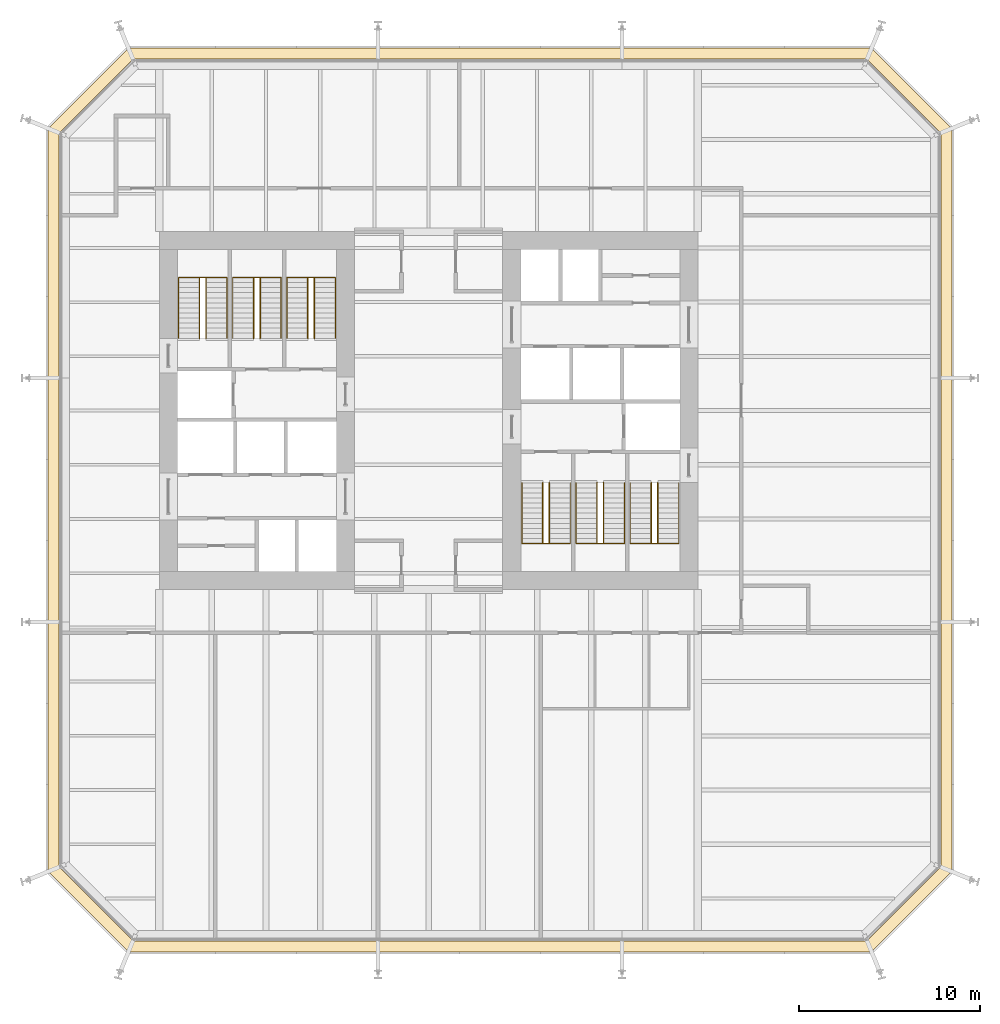
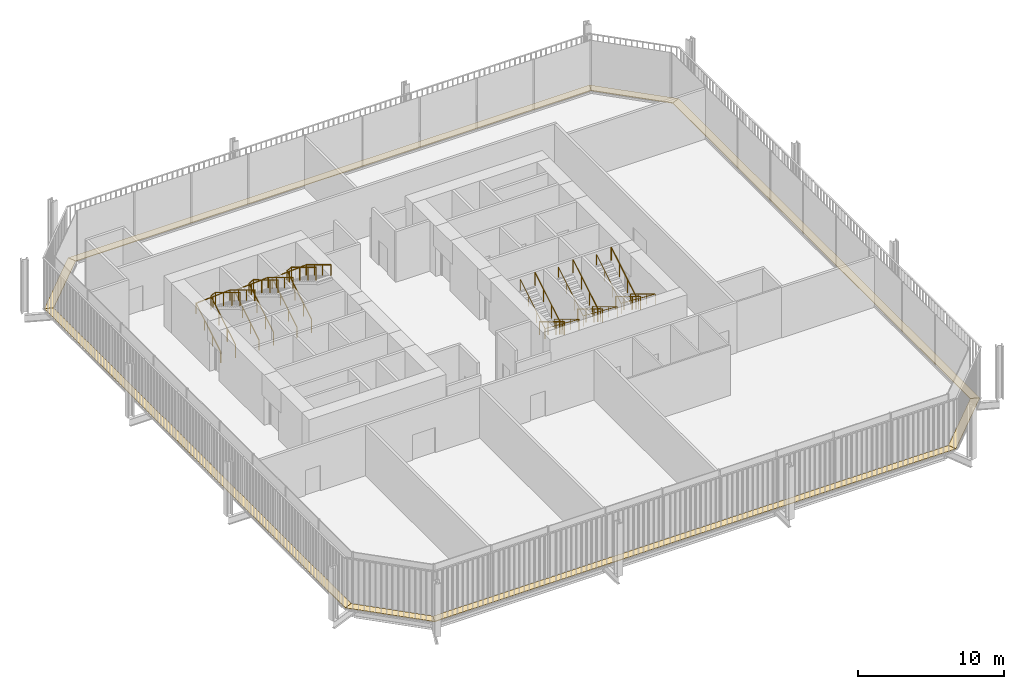
# One storey, part 20 of 20: 12 railings, 8 coverings.
"""IFC4 building model written with IfcOpenShell, lengths in metres."""

from ifc_helpers import new_model, si_unit, direction, frame, origin, origin_2d, place, context, subcontext, project, spatial, polyline, circle, outline, extrude, material, layer, layer_set, type_object, element, save


model = new_model("IFC4")

# Units and contexts
model_context = context("Model", 3, precision=1e-05, world=origin(), true_north=direction((0.0, 1.0)))
body_context = subcontext(model_context, "Body", "Model", "MODEL_VIEW")
ifc_project = project(units=[si_unit("LENGTHUNIT", "METRE"), si_unit("AREAUNIT", "SQUARE_METRE"), si_unit("VOLUMEUNIT", "CUBIC_METRE"), si_unit("PLANEANGLEUNIT", "RADIAN"), si_unit("MASSUNIT", "GRAM", prefix="KILO")], contexts=[model_context])

# Site, building, storey
site_placement = place(None, origin())
site = spatial("IfcSite", under=ifc_project, at=site_placement, CompositionType="ELEMENT")
building_placement = place(site_placement, origin())
building = spatial("IfcBuilding", under=site, at=building_placement, Name="Millrace Tower", CompositionType="ELEMENT")
storey_placement = place(building_placement, frame((0.0, 0.0, 99.60009765625)))
storey = spatial("IfcBuildingStorey", under=building, at=storey_placement, Name="L22", CompositionType="ELEMENT", Elevation=99.60009765625)

# Coverings
ifc_material_1 = material(Name="Steel ASTM A36", Category="steel")
ifc_layer = layer(ifc_material_1, 0.050048828125)
ifc_layer_set = layer_set([ifc_layer], Name="Steel ASTM A36")
covering_type = type_object("IfcCoveringType", Name="CAVITY CATWALK steel grating", PredefinedType="FLOORING", material=ifc_layer_set)
placement = place(storey_placement, frame((0.0, 0.0, 0.099853515625)))
element("IfcCovering", 1, at=placement, inside=storey, type_object=covering_type, Name="Cavity catwalk grating B-F01 L22 1", PredefinedType="FLOORING", context=body_context, shape_type="SweptSolid", body=[
    extrude(outline(polyline([(-21.050048828125, -25.5107421875), (-16.610595703125, -29.949951171875), (-16.362060546875, -29.35009765625), (-20.449951171875, -25.26220703125), (-21.050048828125, -25.5107421875)])), origin(), (0.0, 0.0, 1.0), 0.050048828125),
])
element("IfcCovering", 2, at=placement, inside=storey, type_object=covering_type, Name="Cavity catwalk grating B-F02 L22 1", PredefinedType="FLOORING", context=body_context, shape_type="SweptSolid", body=[
    extrude(outline(polyline([(-16.610595703125, -29.949951171875), (24.5107421875, -29.949951171875), (24.26220703125, -29.35009765625), (-16.362060546875, -29.35009765625), (-16.610595703125, -29.949951171875)])), origin(), (0.0, 0.0, 1.0), 0.050048828125),
])
element("IfcCovering", 3, at=placement, inside=storey, type_object=covering_type, Name="Cavity catwalk grating B-F03 L22 1", PredefinedType="FLOORING", context=body_context, shape_type="SweptSolid", body=[
    extrude(outline(polyline([(24.5107421875, -29.949951171875), (28.949951171875, -25.5107421875), (28.35009765625, -25.26220703125), (24.26220703125, -29.35009765625), (24.5107421875, -29.949951171875)])), origin(), (0.0, 0.0, 1.0), 0.050048828125),
])
element("IfcCovering", 4, at=placement, inside=storey, type_object=covering_type, Name="Cavity catwalk grating B-F04 L22 1", PredefinedType="FLOORING", context=body_context, shape_type="SweptSolid", body=[
    extrude(outline(polyline([(28.949951171875, -25.5107421875), (28.949951171875, 15.610595703125), (28.35009765625, 15.362060546875), (28.35009765625, -25.26220703125), (28.949951171875, -25.5107421875)])), origin(), (0.0, 0.0, 1.0), 0.050048828125),
])
element("IfcCovering", 5, at=placement, inside=storey, type_object=covering_type, Name="Cavity catwalk grating B-F05 L22 1", PredefinedType="FLOORING", context=body_context, shape_type="SweptSolid", body=[
    extrude(outline(polyline([(28.949951171875, 15.610595703125), (24.5107421875, 20.050048828125), (24.26220703125, 19.449951171875), (28.35009765625, 15.362060546875), (28.949951171875, 15.610595703125)])), origin(), (0.0, 0.0, 1.0), 0.050048828125),
])
element("IfcCovering", 6, at=placement, inside=storey, type_object=covering_type, Name="Cavity catwalk grating B-F06 L22 1", PredefinedType="FLOORING", context=body_context, shape_type="SweptSolid", body=[
    extrude(outline(polyline([(24.5107421875, 20.050048828125), (-16.610595703125, 20.050048828125), (-16.362060546875, 19.449951171875), (24.26220703125, 19.449951171875), (24.5107421875, 20.050048828125)])), origin(), (0.0, 0.0, 1.0), 0.050048828125),
])
element("IfcCovering", 7, at=placement, inside=storey, type_object=covering_type, Name="Cavity catwalk grating B-F07 L22 1", PredefinedType="FLOORING", context=body_context, shape_type="SweptSolid", body=[
    extrude(outline(polyline([(-16.610595703125, 20.050048828125), (-21.050048828125, 15.610595703125), (-20.449951171875, 15.362060546875), (-16.362060546875, 19.449951171875), (-16.610595703125, 20.050048828125)])), origin(), (0.0, 0.0, 1.0), 0.050048828125),
])
element("IfcCovering", 8, at=placement, inside=storey, type_object=covering_type, Name="Cavity catwalk grating B-F08 L22 1", PredefinedType="FLOORING", context=body_context, shape_type="SweptSolid", body=[
    extrude(outline(polyline([(-21.050048828125, 15.610595703125), (-21.050048828125, -25.5107421875), (-20.449951171875, -25.26220703125), (-20.449951171875, 15.362060546875), (-21.050048828125, 15.610595703125)])), origin(), (0.0, 0.0, 1.0), 0.050048828125),
])

# Railings
ifc_material_2 = material(Name="Stainless steel ASTM A240 type 316", Category="steel")
railing_type_1 = type_object("IfcRailingType", Name="Stair guard 1100", PredefinedType="GUARDRAIL", material=ifc_material_2)
for number, where, name in (
    (9, (-12.679931640625, 4.0, 0.169189453125), "Stair guard 1 W L22"),
    (10, (-9.679931640625, 4.0, 0.169189453125), "Stair guard 2 W L22"),
    (11, (-6.679931640625, 4.0, 0.169189453125), "Stair guard 3 W L22"),
):
    element("IfcRailing", number, at=place(storey_placement, frame(where)), inside=storey, type_object=railing_type_1, Name=name, PredefinedType="GUARDRAIL", context=body_context, shape_type="SweptSolid", body=[
        extrude(circle(Radius=0.02392578125, at=origin_2d()), frame((0.0, 0.0, 1.076171875), z_axis=(0.0, 0.855836976705, 0.517245656632), x_axis=(-1.0, 0.0, 0.0)), (0.0, 0.0, 1.0), 3.926025390625),
        extrude(circle(Radius=0.02392578125, at=origin_2d()), frame((0.0, 3.360107421875, 3.10693359375), z_axis=(0.904971698027, 0.0, 0.425471768475), x_axis=(0.0, 1.0, 0.0)), (0.0, 0.0, 1.0), 0.397705078125),
        extrude(circle(Radius=0.02392578125, at=origin_2d()), frame((0.35986328125, 3.360107421875, 3.27587890625), z_axis=(0.0, -0.855836976705, 0.517245656632), x_axis=(1.0, 0.0, 0.0)), (0.0, 0.0, 1.0), 3.926025390625),
        extrude(circle(Radius=0.02099609375, at=origin_2d()), origin(), (0.0, 0.0, 1.0), 1.052001953125),
        extrude(circle(Radius=0.02099609375, at=origin_2d()), frame((0.0, 1.1201171875, 0.677001953125)), (0.0, 0.0, 1.0), 1.052001953125),
        extrude(circle(Radius=0.02099609375, at=origin_2d()), frame((0.0, 2.239990234375, 1.353759765625)), (0.0, 0.0, 1.0), 1.052001953125),
        extrude(circle(Radius=0.02099609375, at=origin_2d()), frame((0.0, 3.360107421875, 2.03076171875)), (0.0, 0.0, 1.0), 1.052001953125),
        extrude(circle(Radius=0.02099609375, at=origin_2d()), frame((0.35986328125, 3.360107421875, 2.199951171875)), (0.0, 0.0, 1.0), 1.052001953125),
        extrude(circle(Radius=0.02099609375, at=origin_2d()), frame((0.35986328125, 2.239990234375, 2.876953125)), (0.0, 0.0, 1.0), 1.052001953125),
        extrude(circle(Radius=0.02099609375, at=origin_2d()), frame((0.35986328125, 1.1201171875, 3.5537109375)), (0.0, 0.0, 1.0), 1.052001953125),
        extrude(circle(Radius=0.02099609375, at=origin_2d()), frame((0.35986328125, 0.0, 4.230712890625)), (0.0, 0.0, 1.0), 1.052001953125),
    ])
for number, where, name in (
    (12, (12.679931640625, -4.0, 0.169189453125), "Stair guard 1 E L22"),
    (13, (9.679931640625, -4.0, 0.169189453125), "Stair guard 2 E L22"),
    (14, (6.679931640625, -4.0, 0.169189453125), "Stair guard 3 E L22"),
):
    element("IfcRailing", number, at=place(storey_placement, frame(where)), inside=storey, type_object=railing_type_1, Name=name, PredefinedType="GUARDRAIL", context=body_context, shape_type="SweptSolid", body=[
        extrude(circle(Radius=0.02392578125, at=origin_2d()), frame((0.0, 0.0, 1.076171875), z_axis=(0.0, -0.855836976705, 0.517245656632), x_axis=(1.0, 0.0, 0.0)), (0.0, 0.0, 1.0), 3.926025390625),
        extrude(circle(Radius=0.02392578125, at=origin_2d()), frame((0.0, -3.360107421875, 3.10693359375), z_axis=(-0.904971698027, 0.0, 0.425471768475), x_axis=(0.0, -1.0, 0.0)), (0.0, 0.0, 1.0), 0.397705078125),
        extrude(circle(Radius=0.02392578125, at=origin_2d()), frame((-0.35986328125, -3.360107421875, 3.27587890625), z_axis=(0.0, 0.855836976705, 0.517245656632), x_axis=(-1.0, 0.0, 0.0)), (0.0, 0.0, 1.0), 3.926025390625),
        extrude(circle(Radius=0.02099609375, at=origin_2d()), origin(), (0.0, 0.0, 1.0), 1.052001953125),
        extrude(circle(Radius=0.02099609375, at=origin_2d()), frame((0.0, -1.1201171875, 0.677001953125)), (0.0, 0.0, 1.0), 1.052001953125),
        extrude(circle(Radius=0.02099609375, at=origin_2d()), frame((0.0, -2.239990234375, 1.353759765625)), (0.0, 0.0, 1.0), 1.052001953125),
        extrude(circle(Radius=0.02099609375, at=origin_2d()), frame((0.0, -3.360107421875, 2.03076171875)), (0.0, 0.0, 1.0), 1.052001953125),
        extrude(circle(Radius=0.02099609375, at=origin_2d()), frame((-0.35986328125, -3.360107421875, 2.199951171875)), (0.0, 0.0, 1.0), 1.052001953125),
        extrude(circle(Radius=0.02099609375, at=origin_2d()), frame((-0.35986328125, -2.239990234375, 2.876953125)), (0.0, 0.0, 1.0), 1.052001953125),
        extrude(circle(Radius=0.02099609375, at=origin_2d()), frame((-0.35986328125, -1.1201171875, 3.5537109375)), (0.0, 0.0, 1.0), 1.052001953125),
        extrude(circle(Radius=0.02099609375, at=origin_2d()), frame((-0.35986328125, 0.0, 4.230712890625)), (0.0, 0.0, 1.0), 1.052001953125),
    ])
ifc_material_3 = material(Name="Stainless steel ASTM A240 type 316", Category="steel")
railing_type_2 = type_object("IfcRailingType", Name="Stair handrail 900", PredefinedType="HANDRAIL", material=ifc_material_3)
railing_1_placement = place(storey_placement, frame((-13.840087890625, 4.0, 0.169189453125)))
element("IfcRailing", 15, at=railing_1_placement, inside=storey, type_object=railing_type_2, Name="Stair handrail 1 W L22", PredefinedType="HANDRAIL", context=body_context, shape_type="SweptSolid", body=[
    extrude(circle(Radius=0.02392578125, at=origin_2d()), frame((0.0, 0.0, 0.8759765625), z_axis=(0.0, 0.855836976705, 0.517245656632), x_axis=(-1.0, 0.0, 0.0)), (0.0, 0.0, 1.0), 3.926025390625),
    extrude(circle(Radius=0.02392578125, at=origin_2d()), frame((0.0, 3.360107421875, 2.90673828125), z_axis=(0.998013473273, 0.0, 0.063000850517), x_axis=(0.0, 1.0, 0.0)), (0.0, 0.0, 1.0), 2.685546875),
    extrude(circle(Radius=0.02392578125, at=origin_2d()), frame((2.68017578125, 3.360107421875, 3.07568359375), z_axis=(0.0, -0.855836976705, 0.517245656632), x_axis=(1.0, 0.0, 0.0)), (0.0, 0.0, 1.0), 3.926025390625),
    extrude(circle(Radius=0.02099609375, at=origin_2d()), origin(), (0.0, 0.0, 1.0), 0.851806640625),
    extrude(circle(Radius=0.02099609375, at=origin_2d()), frame((0.0, 1.1201171875, 0.677001953125)), (0.0, 0.0, 1.0), 0.851806640625),
    extrude(circle(Radius=0.02099609375, at=origin_2d()), frame((0.0, 2.239990234375, 1.353759765625)), (0.0, 0.0, 1.0), 0.851806640625),
    extrude(circle(Radius=0.02099609375, at=origin_2d()), frame((0.0, 3.360107421875, 2.03076171875)), (0.0, 0.0, 1.0), 0.851806640625),
    extrude(circle(Radius=0.02099609375, at=origin_2d()), frame((1.340087890625, 3.360107421875, 2.115234375)), (0.0, 0.0, 1.0), 0.851806640625),
    extrude(circle(Radius=0.02099609375, at=origin_2d()), frame((2.68017578125, 3.360107421875, 2.199951171875)), (0.0, 0.0, 1.0), 0.851806640625),
    extrude(circle(Radius=0.02099609375, at=origin_2d()), frame((2.68017578125, 2.239990234375, 2.876953125)), (0.0, 0.0, 1.0), 0.851806640625),
    extrude(circle(Radius=0.02099609375, at=origin_2d()), frame((2.68017578125, 1.1201171875, 3.5537109375)), (0.0, 0.0, 1.0), 0.851806640625),
    extrude(circle(Radius=0.02099609375, at=origin_2d()), frame((2.68017578125, 0.0, 4.230712890625)), (0.0, 0.0, 1.0), 0.851806640625),
])
railing_2_placement = place(storey_placement, frame((-10.840087890625, 4.0, 0.169189453125)))
element("IfcRailing", 16, at=railing_2_placement, inside=storey, type_object=railing_type_2, Name="Stair handrail 2 W L22", PredefinedType="HANDRAIL", context=body_context, shape_type="SweptSolid", body=[
    extrude(circle(Radius=0.02392578125, at=origin_2d()), frame((0.0, 0.0, 0.8759765625), z_axis=(0.0, 0.855836976705, 0.517245656632), x_axis=(-1.0, 0.0, 0.0)), (0.0, 0.0, 1.0), 3.926025390625),
    extrude(circle(Radius=0.02392578125, at=origin_2d()), frame((0.0, 3.360107421875, 2.90673828125), z_axis=(0.998013473273, 0.0, 0.063000850517), x_axis=(0.0, 1.0, 0.0)), (0.0, 0.0, 1.0), 2.685546875),
    extrude(circle(Radius=0.02392578125, at=origin_2d()), frame((2.68017578125, 3.360107421875, 3.07568359375), z_axis=(0.0, -0.855836976705, 0.517245656632), x_axis=(1.0, 0.0, 0.0)), (0.0, 0.0, 1.0), 3.926025390625),
    extrude(circle(Radius=0.02099609375, at=origin_2d()), origin(), (0.0, 0.0, 1.0), 0.851806640625),
    extrude(circle(Radius=0.02099609375, at=origin_2d()), frame((0.0, 1.1201171875, 0.677001953125)), (0.0, 0.0, 1.0), 0.851806640625),
    extrude(circle(Radius=0.02099609375, at=origin_2d()), frame((0.0, 2.239990234375, 1.353759765625)), (0.0, 0.0, 1.0), 0.851806640625),
    extrude(circle(Radius=0.02099609375, at=origin_2d()), frame((0.0, 3.360107421875, 2.03076171875)), (0.0, 0.0, 1.0), 0.851806640625),
    extrude(circle(Radius=0.02099609375, at=origin_2d()), frame((1.340087890625, 3.360107421875, 2.115234375)), (0.0, 0.0, 1.0), 0.851806640625),
    extrude(circle(Radius=0.02099609375, at=origin_2d()), frame((2.68017578125, 3.360107421875, 2.199951171875)), (0.0, 0.0, 1.0), 0.851806640625),
    extrude(circle(Radius=0.02099609375, at=origin_2d()), frame((2.68017578125, 2.239990234375, 2.876953125)), (0.0, 0.0, 1.0), 0.851806640625),
    extrude(circle(Radius=0.02099609375, at=origin_2d()), frame((2.68017578125, 1.1201171875, 3.5537109375)), (0.0, 0.0, 1.0), 0.851806640625),
    extrude(circle(Radius=0.02099609375, at=origin_2d()), frame((2.68017578125, 0.0, 4.230712890625)), (0.0, 0.0, 1.0), 0.851806640625),
])
railing_3_placement = place(storey_placement, frame((-7.840087890625, 4.0, 0.169189453125)))
element("IfcRailing", 17, at=railing_3_placement, inside=storey, type_object=railing_type_2, Name="Stair handrail 3 W L22", PredefinedType="HANDRAIL", context=body_context, shape_type="SweptSolid", body=[
    extrude(circle(Radius=0.02392578125, at=origin_2d()), frame((0.0, 0.0, 0.8759765625), z_axis=(0.0, 0.855836976705, 0.517245656632), x_axis=(-1.0, 0.0, 0.0)), (0.0, 0.0, 1.0), 3.926025390625),
    extrude(circle(Radius=0.02392578125, at=origin_2d()), frame((0.0, 3.360107421875, 2.90673828125), z_axis=(0.998013473273, 0.0, 0.063000850517), x_axis=(0.0, 1.0, 0.0)), (0.0, 0.0, 1.0), 2.685546875),
    extrude(circle(Radius=0.02392578125, at=origin_2d()), frame((2.68017578125, 3.360107421875, 3.07568359375), z_axis=(0.0, -0.855836976705, 0.517245656632), x_axis=(1.0, 0.0, 0.0)), (0.0, 0.0, 1.0), 3.926025390625),
    extrude(circle(Radius=0.02099609375, at=origin_2d()), origin(), (0.0, 0.0, 1.0), 0.851806640625),
    extrude(circle(Radius=0.02099609375, at=origin_2d()), frame((0.0, 1.1201171875, 0.677001953125)), (0.0, 0.0, 1.0), 0.851806640625),
    extrude(circle(Radius=0.02099609375, at=origin_2d()), frame((0.0, 2.239990234375, 1.353759765625)), (0.0, 0.0, 1.0), 0.851806640625),
    extrude(circle(Radius=0.02099609375, at=origin_2d()), frame((0.0, 3.360107421875, 2.03076171875)), (0.0, 0.0, 1.0), 0.851806640625),
    extrude(circle(Radius=0.02099609375, at=origin_2d()), frame((1.340087890625, 3.360107421875, 2.115234375)), (0.0, 0.0, 1.0), 0.851806640625),
    extrude(circle(Radius=0.02099609375, at=origin_2d()), frame((2.68017578125, 3.360107421875, 2.199951171875)), (0.0, 0.0, 1.0), 0.851806640625),
    extrude(circle(Radius=0.02099609375, at=origin_2d()), frame((2.68017578125, 2.239990234375, 2.876953125)), (0.0, 0.0, 1.0), 0.851806640625),
    extrude(circle(Radius=0.02099609375, at=origin_2d()), frame((2.68017578125, 1.1201171875, 3.5537109375)), (0.0, 0.0, 1.0), 0.851806640625),
    extrude(circle(Radius=0.02099609375, at=origin_2d()), frame((2.68017578125, 0.0, 4.230712890625)), (0.0, 0.0, 1.0), 0.851806640625),
])
railing_4_placement = place(storey_placement, frame((13.840087890625, -4.0, 0.169189453125)))
element("IfcRailing", 18, at=railing_4_placement, inside=storey, type_object=railing_type_2, Name="Stair handrail 1 E L22", PredefinedType="HANDRAIL", context=body_context, shape_type="SweptSolid", body=[
    extrude(circle(Radius=0.02392578125, at=origin_2d()), frame((0.0, 0.0, 0.8759765625), z_axis=(0.0, -0.855836976705, 0.517245656632), x_axis=(1.0, 0.0, 0.0)), (0.0, 0.0, 1.0), 3.926025390625),
    extrude(circle(Radius=0.02392578125, at=origin_2d()), frame((0.0, -3.360107421875, 2.90673828125), z_axis=(-0.998013473273, 0.0, 0.063000850517), x_axis=(0.0, -1.0, 0.0)), (0.0, 0.0, 1.0), 2.685546875),
    extrude(circle(Radius=0.02392578125, at=origin_2d()), frame((-2.68017578125, -3.360107421875, 3.07568359375), z_axis=(0.0, 0.855836976705, 0.517245656632), x_axis=(-1.0, 0.0, 0.0)), (0.0, 0.0, 1.0), 3.926025390625),
    extrude(circle(Radius=0.02099609375, at=origin_2d()), origin(), (0.0, 0.0, 1.0), 0.851806640625),
    extrude(circle(Radius=0.02099609375, at=origin_2d()), frame((0.0, -1.1201171875, 0.677001953125)), (0.0, 0.0, 1.0), 0.851806640625),
    extrude(circle(Radius=0.02099609375, at=origin_2d()), frame((0.0, -2.239990234375, 1.353759765625)), (0.0, 0.0, 1.0), 0.851806640625),
    extrude(circle(Radius=0.02099609375, at=origin_2d()), frame((0.0, -3.360107421875, 2.03076171875)), (0.0, 0.0, 1.0), 0.851806640625),
    extrude(circle(Radius=0.02099609375, at=origin_2d()), frame((-1.340087890625, -3.360107421875, 2.115234375)), (0.0, 0.0, 1.0), 0.851806640625),
    extrude(circle(Radius=0.02099609375, at=origin_2d()), frame((-2.68017578125, -3.360107421875, 2.199951171875)), (0.0, 0.0, 1.0), 0.851806640625),
    extrude(circle(Radius=0.02099609375, at=origin_2d()), frame((-2.68017578125, -2.239990234375, 2.876953125)), (0.0, 0.0, 1.0), 0.851806640625),
    extrude(circle(Radius=0.02099609375, at=origin_2d()), frame((-2.68017578125, -1.1201171875, 3.5537109375)), (0.0, 0.0, 1.0), 0.851806640625),
    extrude(circle(Radius=0.02099609375, at=origin_2d()), frame((-2.68017578125, 0.0, 4.230712890625)), (0.0, 0.0, 1.0), 0.851806640625),
])
railing_5_placement = place(storey_placement, frame((10.840087890625, -4.0, 0.169189453125)))
element("IfcRailing", 19, at=railing_5_placement, inside=storey, type_object=railing_type_2, Name="Stair handrail 2 E L22", PredefinedType="HANDRAIL", context=body_context, shape_type="SweptSolid", body=[
    extrude(circle(Radius=0.02392578125, at=origin_2d()), frame((0.0, 0.0, 0.8759765625), z_axis=(0.0, -0.855836976705, 0.517245656632), x_axis=(1.0, 0.0, 0.0)), (0.0, 0.0, 1.0), 3.926025390625),
    extrude(circle(Radius=0.02392578125, at=origin_2d()), frame((0.0, -3.360107421875, 2.90673828125), z_axis=(-0.998013473273, 0.0, 0.063000850517), x_axis=(0.0, -1.0, 0.0)), (0.0, 0.0, 1.0), 2.685546875),
    extrude(circle(Radius=0.02392578125, at=origin_2d()), frame((-2.68017578125, -3.360107421875, 3.07568359375), z_axis=(0.0, 0.855836976705, 0.517245656632), x_axis=(-1.0, 0.0, 0.0)), (0.0, 0.0, 1.0), 3.926025390625),
    extrude(circle(Radius=0.02099609375, at=origin_2d()), origin(), (0.0, 0.0, 1.0), 0.851806640625),
    extrude(circle(Radius=0.02099609375, at=origin_2d()), frame((0.0, -1.1201171875, 0.677001953125)), (0.0, 0.0, 1.0), 0.851806640625),
    extrude(circle(Radius=0.02099609375, at=origin_2d()), frame((0.0, -2.239990234375, 1.353759765625)), (0.0, 0.0, 1.0), 0.851806640625),
    extrude(circle(Radius=0.02099609375, at=origin_2d()), frame((0.0, -3.360107421875, 2.03076171875)), (0.0, 0.0, 1.0), 0.851806640625),
    extrude(circle(Radius=0.02099609375, at=origin_2d()), frame((-1.340087890625, -3.360107421875, 2.115234375)), (0.0, 0.0, 1.0), 0.851806640625),
    extrude(circle(Radius=0.02099609375, at=origin_2d()), frame((-2.68017578125, -3.360107421875, 2.199951171875)), (0.0, 0.0, 1.0), 0.851806640625),
    extrude(circle(Radius=0.02099609375, at=origin_2d()), frame((-2.68017578125, -2.239990234375, 2.876953125)), (0.0, 0.0, 1.0), 0.851806640625),
    extrude(circle(Radius=0.02099609375, at=origin_2d()), frame((-2.68017578125, -1.1201171875, 3.5537109375)), (0.0, 0.0, 1.0), 0.851806640625),
    extrude(circle(Radius=0.02099609375, at=origin_2d()), frame((-2.68017578125, 0.0, 4.230712890625)), (0.0, 0.0, 1.0), 0.851806640625),
])
railing_6_placement = place(storey_placement, frame((7.840087890625, -4.0, 0.169189453125)))
element("IfcRailing", 20, at=railing_6_placement, inside=storey, type_object=railing_type_2, Name="Stair handrail 3 E L22", PredefinedType="HANDRAIL", context=body_context, shape_type="SweptSolid", body=[
    extrude(circle(Radius=0.02392578125, at=origin_2d()), frame((0.0, 0.0, 0.8759765625), z_axis=(0.0, -0.855836976705, 0.517245656632), x_axis=(1.0, 0.0, 0.0)), (0.0, 0.0, 1.0), 3.926025390625),
    extrude(circle(Radius=0.02392578125, at=origin_2d()), frame((0.0, -3.360107421875, 2.90673828125), z_axis=(-0.998013473273, 0.0, 0.063000850517), x_axis=(0.0, -1.0, 0.0)), (0.0, 0.0, 1.0), 2.685546875),
    extrude(circle(Radius=0.02392578125, at=origin_2d()), frame((-2.68017578125, -3.360107421875, 3.07568359375), z_axis=(0.0, 0.855836976705, 0.517245656632), x_axis=(-1.0, 0.0, 0.0)), (0.0, 0.0, 1.0), 3.926025390625),
    extrude(circle(Radius=0.02099609375, at=origin_2d()), origin(), (0.0, 0.0, 1.0), 0.851806640625),
    extrude(circle(Radius=0.02099609375, at=origin_2d()), frame((0.0, -1.1201171875, 0.677001953125)), (0.0, 0.0, 1.0), 0.851806640625),
    extrude(circle(Radius=0.02099609375, at=origin_2d()), frame((0.0, -2.239990234375, 1.353759765625)), (0.0, 0.0, 1.0), 0.851806640625),
    extrude(circle(Radius=0.02099609375, at=origin_2d()), frame((0.0, -3.360107421875, 2.03076171875)), (0.0, 0.0, 1.0), 0.851806640625),
    extrude(circle(Radius=0.02099609375, at=origin_2d()), frame((-1.340087890625, -3.360107421875, 2.115234375)), (0.0, 0.0, 1.0), 0.851806640625),
    extrude(circle(Radius=0.02099609375, at=origin_2d()), frame((-2.68017578125, -3.360107421875, 2.199951171875)), (0.0, 0.0, 1.0), 0.851806640625),
    extrude(circle(Radius=0.02099609375, at=origin_2d()), frame((-2.68017578125, -2.239990234375, 2.876953125)), (0.0, 0.0, 1.0), 0.851806640625),
    extrude(circle(Radius=0.02099609375, at=origin_2d()), frame((-2.68017578125, -1.1201171875, 3.5537109375)), (0.0, 0.0, 1.0), 0.851806640625),
    extrude(circle(Radius=0.02099609375, at=origin_2d()), frame((-2.68017578125, 0.0, 4.230712890625)), (0.0, 0.0, 1.0), 0.851806640625),
])

save(model, "model.ifc")
